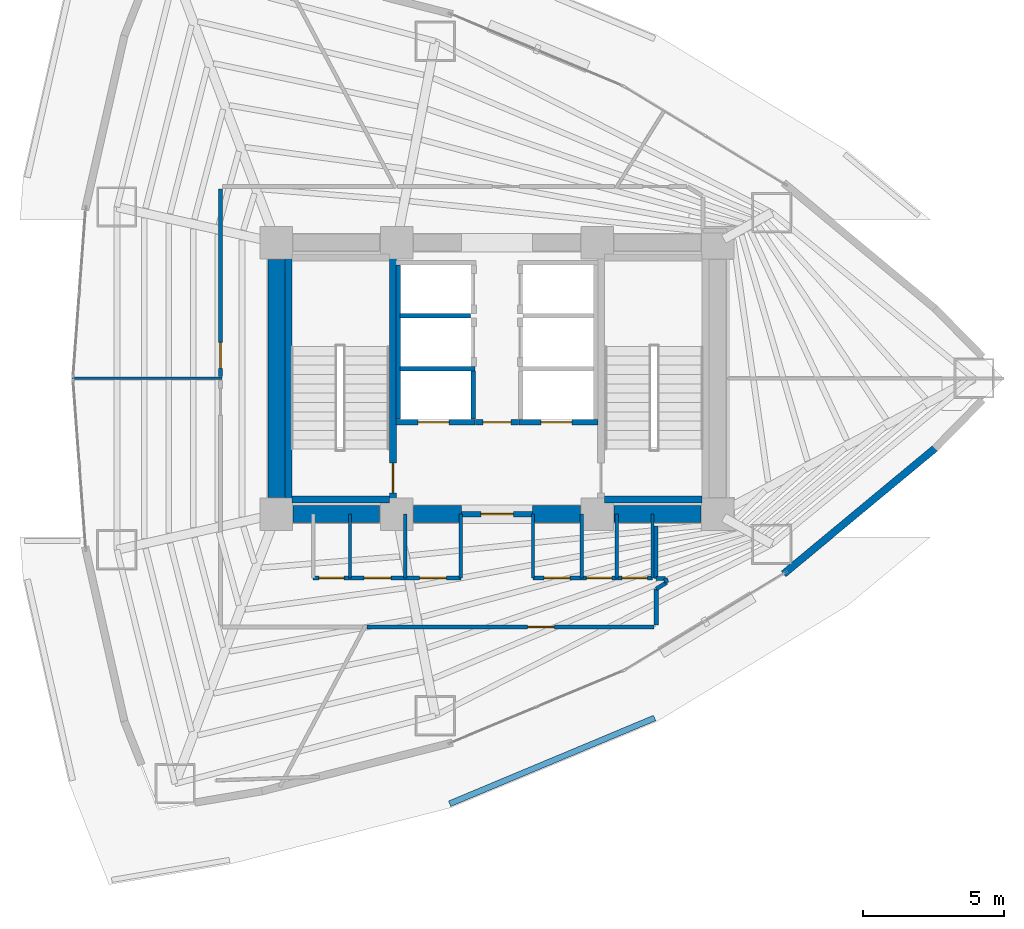
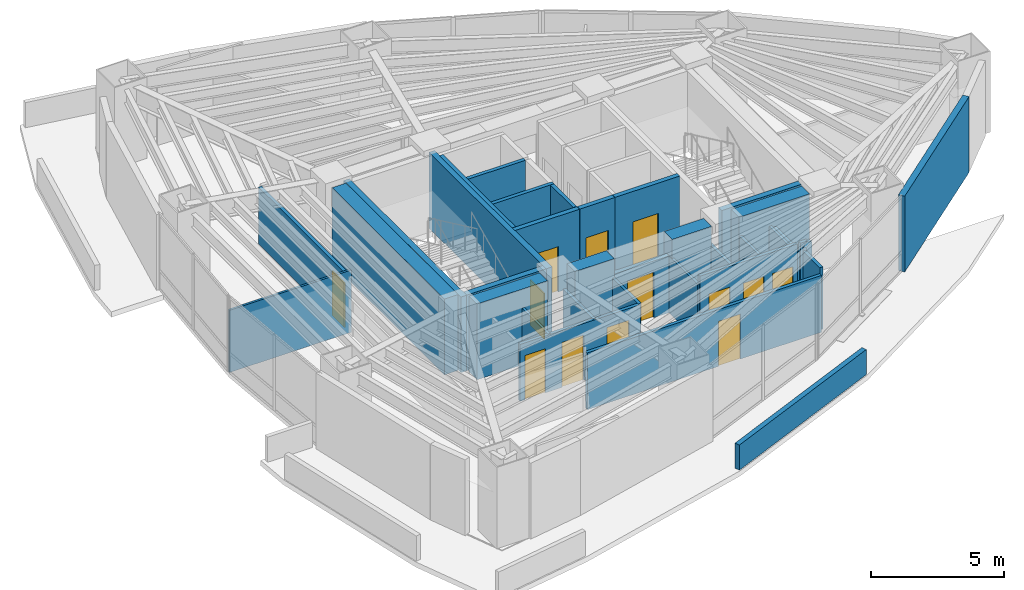
# One storey, part 13 of 17: 36 walls, 13 doors, 13 openings.
"""IFC4 building model written with IfcOpenShell, lengths in metres."""

from ifc_helpers import new_model, si_unit, direction, frame, frame_2d, origin, place, context, subcontext, project, spatial, rectangle, extrude, material, layer, layer_set, type_object, element, fill, save


model = new_model("IFC4")

# Units and contexts
model_context = context("Model", 3, precision=1e-05, world=origin(), true_north=direction((0.0, 1.0)))
body_context = subcontext(model_context, "Body", "Model", "MODEL_VIEW")
ifc_project = project(units=[si_unit("LENGTHUNIT", "METRE"), si_unit("AREAUNIT", "SQUARE_METRE"), si_unit("VOLUMEUNIT", "CUBIC_METRE"), si_unit("PLANEANGLEUNIT", "RADIAN"), si_unit("MASSUNIT", "GRAM", prefix="KILO")], contexts=[model_context])

# Site, building, storey
site_placement = place(None, origin())
site = spatial("IfcSite", under=ifc_project, at=site_placement, CompositionType="ELEMENT")
building_placement = place(site_placement, origin())
building = spatial("IfcBuilding", under=site, at=building_placement, Name="Menara Vayukalpa", CompositionType="ELEMENT")
storey_placement = place(building_placement, frame((0.0, 0.0, 27.60009765625)))
storey = spatial("IfcBuildingStorey", under=building, at=storey_placement, Name="L05", CompositionType="ELEMENT", Elevation=27.60009765625)

# Walls
ifc_material_1 = material(Name="Concrete C70/85", Category="concrete")
ifc_layer_1 = layer(ifc_material_1, 0.60009765625)
ifc_layer_set_1 = layer_set([ifc_layer_1], Name="Concrete C70/85")
wall_type_1 = type_object("IfcWallType", Name="WAL-CW600", PredefinedType="SHEAR", material=ifc_layer_set_1)
wall_1_placement = place(storey_placement, frame((18.39501953125, 17.199951171875, 0.0), z_axis=(0.0, 0.0, 1.0), x_axis=(1.0, 0.0, 0.0)))
element("IfcWall", 1, at=wall_1_placement, inside=storey, type_object=wall_type_1, Name="L05 Buttressed Core Shear Wall CWS1", PredefinedType="SHEAR", context=body_context, shape_type="SweptSolid", body=[
    extrude(rectangle(XDim=3.06005859375, YDim=0.60009765625, at=frame_2d((1.530029296875, 0.0))), origin(), (0.0, 0.0, 1.0), 3.469970703125),
])
wall_2_placement = place(storey_placement, frame((22.64501953125, 17.199951171875, 0.0), z_axis=(0.0, 0.0, 1.0), x_axis=(1.0, 0.0, 0.0)))
element("IfcWall", 2, at=wall_2_placement, inside=storey, type_object=wall_type_1, Name="L05 Buttressed Core Shear Wall CWS2", PredefinedType="SHEAR", context=body_context, shape_type="SweptSolid", body=[
    extrude(rectangle(XDim=1.705078125, YDim=0.60009765625, at=frame_2d((0.8525390625, 0.0))), origin(), (0.0, 0.0, 1.0), 3.469970703125),
])
wall_3_placement = place(storey_placement, frame((26.85009765625, 17.199951171875, 0.0), z_axis=(0.0, 0.0, 1.0), x_axis=(1.0, 0.0, 0.0)))
element("IfcWall", 3, at=wall_3_placement, inside=storey, type_object=wall_type_1, Name="L05 Buttressed Core Shear Wall CWS3", PredefinedType="SHEAR", context=body_context, shape_type="SweptSolid", body=[
    extrude(rectangle(XDim=1.704833984375, YDim=0.60009765625, at=frame_2d((0.8525390625, 0.0))), origin(), (0.0, 0.0, 1.0), 3.469970703125),
])
wall_4_placement = place(storey_placement, frame((29.7451171875, 17.199951171875, 0.0), z_axis=(0.0, 0.0, 1.0), x_axis=(1.0, 0.0, 0.0)))
element("IfcWall", 4, at=wall_4_placement, inside=storey, type_object=wall_type_1, Name="L05 Buttressed Core Shear Wall CWS4", PredefinedType="SHEAR", context=body_context, shape_type="SweptSolid", body=[
    extrude(rectangle(XDim=3.059814453125, YDim=0.60009765625, at=frame_2d((1.52978515625, 0.0))), origin(), (0.0, 0.0, 1.0), 3.469970703125),
])
wall_5_placement = place(storey_placement, frame((17.800048828125, 17.794921875, 0.0), z_axis=(0.0, 0.0, 1.0), x_axis=(0.0, 1.0, 0.0)))
element("IfcWall", 5, at=wall_5_placement, inside=storey, type_object=wall_type_1, Name="L05 Buttressed Core Shear Wall CWW1", PredefinedType="SHEAR", context=body_context, shape_type="SweptSolid", body=[
    extrude(rectangle(XDim=8.41015625, YDim=0.60009765625, at=frame_2d((4.205078125, 0.0))), origin(), (0.0, 0.0, 1.0), 3.469970703125),
])
ifc_material_2 = material(Name="Insulated Precast Concrete C40/50", Category="concrete")
ifc_layer_2 = layer(ifc_material_2, 0.260009765625)
ifc_layer_set_2 = layer_set([ifc_layer_2], Name="Insulated Precast Concrete C40/50")
wall_type_2 = type_object("IfcWallType", Name="WAL-EXT260", PredefinedType="PARTITIONING", material=ifc_layer_set_2)
wall_6_placement = place(storey_placement, frame((41.08935546875, 19.52880859375, 0.0), z_axis=(0.0, 0.0, 1.0), x_axis=(-0.769754596928, -0.638339925517, 0.0)))
element("IfcWall", 6, at=wall_6_placement, inside=storey, type_object=wall_type_2, Name="L05 Perimeter Terracotta Pier Wall 18", PredefinedType="PARTITIONING", context=body_context, shape_type="SweptSolid", body=[
    extrude(rectangle(XDim=6.959228515625, YDim=0.260009765625, at=frame_2d((3.4794921875, 0.0))), origin(), (0.0, 0.0, 1.0), 3.469970703125),
])
ifc_material_3 = material(Name="Lightweight Concrete Blockwork C16/20", Category="masonry")
ifc_layer_3 = layer(ifc_material_3, 0.159912109375)
ifc_layer_set_3 = layer_set([ifc_layer_3], Name="Lightweight Concrete Blockwork C16/20")
wall_type_3 = type_object("IfcWallType", Name="WAL-FR150", PredefinedType="PARTITIONING", material=ifc_layer_set_3)
wall_7_placement = place(storey_placement, frame((22.10498046875, 20.56005859375, 0.0), z_axis=(0.0, 0.0, 1.0), x_axis=(0.0, 1.0, 0.0)))
element("IfcWall", 7, at=wall_7_placement, inside=storey, type_object=wall_type_3, Name="L05 Interior Partition IW-L05-SHW-WW", PredefinedType="PARTITIONING", context=body_context, shape_type="SweptSolid", body=[
    extrude(rectangle(XDim=5.449951171875, YDim=0.159912109375, at=frame_2d((2.72509765625, 0.0))), origin(), (0.0, 0.0, 1.0), 3.469970703125),
])
wall_8_placement = place(storey_placement, frame((24.7548828125, 20.56005859375, 0.0), z_axis=(0.0, 0.0, 1.0), x_axis=(0.0, 1.0, 0.0)))
element("IfcWall", 8, at=wall_8_placement, inside=storey, type_object=wall_type_3, Name="L05 Interior Partition IW-L05-SHW-W1E", PredefinedType="PARTITIONING", context=body_context, shape_type="SweptSolid", body=[
    extrude(rectangle(XDim=1.7099609375, YDim=0.159912109375, at=frame_2d((0.85498046875, 0.0))), origin(), (0.0, 0.0, 1.0), 3.469970703125),
])
wall_9_placement = place(storey_placement, frame((22.179931640625, 22.344970703125, 0.0), z_axis=(0.0, 0.0, 1.0), x_axis=(1.0, 0.0, 0.0)))
element("IfcWall", 9, at=wall_9_placement, inside=storey, type_object=wall_type_3, Name="L05 Interior Partition IW-L05-SHM-W12", PredefinedType="PARTITIONING", context=body_context, shape_type="SweptSolid", body=[
    extrude(rectangle(XDim=2.650146484375, YDim=0.159912109375, at=frame_2d((1.3251953125, 0.0))), origin(), (0.0, 0.0, 1.0), 3.469970703125),
])
wall_10_placement = place(storey_placement, frame((22.179931640625, 24.215087890625, 0.0), z_axis=(0.0, 0.0, 1.0), x_axis=(1.0, 0.0, 0.0)))
element("IfcWall", 10, at=wall_10_placement, inside=storey, type_object=wall_type_3, Name="L05 Interior Partition IW-L05-SHM-W23", PredefinedType="PARTITIONING", context=body_context, shape_type="SweptSolid", body=[
    extrude(rectangle(XDim=2.489990234375, YDim=0.159912109375, at=frame_2d((1.2451171875, 0.0))), origin(), (0.0, 0.0, 1.0), 3.469970703125),
])

# Wall, opening, door
ifc_material_4 = material(Name="Lightweight Concrete Blockwork C16/20", Category="masonry")
ifc_layer_4 = layer(ifc_material_4, 0.199951171875)
ifc_layer_set_4 = layer_set([ifc_layer_4], Name="Lightweight Concrete Blockwork C16/20")
wall_type_4 = type_object("IfcWallType", Name="WAL-FR200", PredefinedType="PARTITIONING", material=ifc_layer_set_4)
wall_11_placement = place(storey_placement, frame((24.35009765625, 17.199951171875, 0.0), z_axis=(0.0, 0.0, 1.0), x_axis=(1.0, 0.0, 0.0)))
wall_11 = element("IfcWall", 11, at=wall_11_placement, inside=storey, type_object=wall_type_4, Name="L05 Interior Partition IW-L05-FFLS", PredefinedType="PARTITIONING", context=body_context, shape_type="SweptSolid", body=[
    extrude(rectangle(XDim=2.5, YDim=0.199951171875, at=frame_2d((1.25, 0.0))), origin(), (0.0, 0.0, 1.0), 2.599853515625),
])
opening_1_placement = place(wall_11_placement, frame((0.679931640625, 0.0, 0.0)))
opening_1 = element("IfcOpeningElement", 12, at=opening_1_placement, cuts=wall_11, Name="Opening ID2", PredefinedType="OPENING", context=body_context, shape_type="SweptSolid", body=[
    extrude(rectangle(XDim=1.14990234375, YDim=2.080078125, at=frame_2d((0.574951171875, 1.0400390625))), frame((0.0, 0.10986328125, 0.0), z_axis=(0.0, -1.0, 0.0), x_axis=(1.0, 0.0, 0.0)), (0.0, 0.0, 1.0), 0.219970703125),
])
ifc_material_5 = material(Name="Fire-Rated Powder-Coated Steel Door", Category="steel")
door_type_1 = type_object("IfcDoorType", Name="DR-FD60W", OperationType="NOTDEFINED", PredefinedType="DOOR", material=ifc_material_5)
door_1_placement = place(opening_1_placement, origin())
door_1 = element("IfcDoor", 13, at=door_1_placement, inside=storey, type_object=door_type_1, Name="L05 Interior Door DR-L05-FFLS", OperationType="SINGLE_SWING_RIGHT", OverallHeight=2.080078125, OverallWidth=1.14990234375, PredefinedType="DOOR", context=body_context, shape_type="SweptSolid", body=[
    extrude(rectangle(XDim=1.14990234375, YDim=2.080078125, at=frame_2d((0.574951171875, 1.0400390625))), frame((0.0, 0.02490234375, 0.0), z_axis=(0.0, -1.0, 0.0), x_axis=(1.0, 0.0, 0.0)), (0.0, 0.0, 1.0), 0.050048828125),
])
fill(opening_1, door_1)

wall_12_placement = place(storey_placement, frame((24.840087890625, 20.449951171875, 0.0), z_axis=(0.0, 0.0, 1.0), x_axis=(1.0, 0.0, 0.0)))
wall_12 = element("IfcWall", 14, at=wall_12_placement, inside=storey, type_object=wall_type_4, Name="L05 Interior Partition IW-L05-FFLN", PredefinedType="PARTITIONING", context=body_context, shape_type="SweptSolid", body=[
    extrude(rectangle(XDim=1.52001953125, YDim=0.199951171875, at=frame_2d((0.760009765625, 0.0))), origin(), (0.0, 0.0, 1.0), 3.469970703125),
])
opening_2_placement = place(wall_12_placement, frame((0.27001953125, 0.0, 0.0)))
opening_2 = element("IfcOpeningElement", 15, at=opening_2_placement, cuts=wall_12, Name="Opening ID3", PredefinedType="OPENING", context=body_context, shape_type="SweptSolid", body=[
    extrude(rectangle(XDim=0.97998046875, YDim=2.06005859375, at=frame_2d((0.489990234375, 1.030029296875))), frame((0.0, 0.10986328125, 0.0), z_axis=(0.0, -1.0, 0.0), x_axis=(1.0, 0.0, 0.0)), (0.0, 0.0, 1.0), 0.219970703125),
])
ifc_material_6 = material(Name="Fire-Rated Powder-Coated Steel Door", Category="steel")
door_type_2 = type_object("IfcDoorType", Name="DR-FD60", OperationType="NOTDEFINED", PredefinedType="DOOR", material=ifc_material_6)
door_2_placement = place(opening_2_placement, origin())
door_2 = element("IfcDoor", 16, at=door_2_placement, inside=storey, type_object=door_type_2, Name="L05 Interior Door DR-L05-FFLN", OperationType="SINGLE_SWING_LEFT", OverallHeight=2.06005859375, OverallWidth=0.97998046875, PredefinedType="DOOR", context=body_context, shape_type="SweptSolid", body=[
    extrude(rectangle(XDim=0.97998046875, YDim=2.06005859375, at=frame_2d((0.489990234375, 1.030029296875))), frame((0.0, 0.02490234375, 0.0), z_axis=(0.0, -1.0, 0.0), x_axis=(1.0, 0.0, 0.0)), (0.0, 0.0, 1.0), 0.050048828125),
])
fill(opening_2, door_2)

wall_13_placement = place(storey_placement, frame((22.030029296875, 20.449951171875, 0.0), z_axis=(0.0, 0.0, 1.0), x_axis=(1.0, 0.0, 0.0)))
wall_13 = element("IfcWall", 17, at=wall_13_placement, inside=storey, type_object=wall_type_4, Name="L05 Interior Partition IW-L05-SH-W1", PredefinedType="PARTITIONING", context=body_context, shape_type="SweptSolid", body=[
    extrude(rectangle(XDim=2.800048828125, YDim=0.199951171875, at=frame_2d((1.39990234375, 0.0))), origin(), (0.0, 0.0, 1.0), 3.469970703125),
])
opening_3_placement = place(wall_13_placement, frame((0.780029296875, 0.0, 0.0)))
opening_3 = element("IfcOpeningElement", 18, at=opening_3_placement, cuts=wall_13, Name="Opening LD1", PredefinedType="OPENING", context=body_context, shape_type="SweptSolid", body=[
    extrude(rectangle(XDim=1.10009765625, YDim=2.080078125, at=frame_2d((0.550048828125, 1.0400390625))), frame((0.0, 0.10986328125, 0.0), z_axis=(0.0, -1.0, 0.0), x_axis=(1.0, 0.0, 0.0)), (0.0, 0.0, 1.0), 0.219970703125),
])
ifc_material_7 = material(Name="Brushed Stainless Steel 316 Lift Door", Category="steel")
door_type_3 = type_object("IfcDoorType", Name="DR-LD110", OperationType="NOTDEFINED", PredefinedType="DOOR", material=ifc_material_7)
door_3_placement = place(opening_3_placement, origin())
door_3 = element("IfcDoor", 19, at=door_3_placement, inside=storey, type_object=door_type_3, Name="L05 Interior Door DR-L05-LD-W1", OperationType="DOUBLE_DOOR_SLIDING", OverallHeight=2.080078125, OverallWidth=1.10009765625, PredefinedType="DOOR", context=body_context, shape_type="SweptSolid", body=[
    extrude(rectangle(XDim=1.10009765625, YDim=2.080078125, at=frame_2d((0.550048828125, 1.0400390625))), frame((0.0, 0.02490234375, 0.0), z_axis=(0.0, -1.0, 0.0), x_axis=(1.0, 0.0, 0.0)), (0.0, 0.0, 1.0), 0.050048828125),
])
fill(opening_3, door_3)

wall_14_placement = place(storey_placement, frame((26.3701171875, 20.449951171875, 0.0), z_axis=(0.0, 0.0, 1.0), x_axis=(1.0, 0.0, 0.0)))
wall_14 = element("IfcWall", 20, at=wall_14_placement, inside=storey, type_object=wall_type_4, Name="L05 Interior Partition IW-L05-SH-E1", PredefinedType="PARTITIONING", context=body_context, shape_type="SweptSolid", body=[
    extrude(rectangle(XDim=2.7998046875, YDim=0.199951171875, at=frame_2d((1.39990234375, 0.0))), origin(), (0.0, 0.0, 1.0), 3.469970703125),
])
opening_4_placement = place(wall_14_placement, frame((0.780029296875, 0.0, 0.0)))
opening_4 = element("IfcOpeningElement", 21, at=opening_4_placement, cuts=wall_14, Name="Opening LD1", PredefinedType="OPENING", context=body_context, shape_type="SweptSolid", body=[
    extrude(rectangle(XDim=1.10009765625, YDim=2.080078125, at=frame_2d((0.550048828125, 1.0400390625))), frame((0.0, 0.10986328125, 0.0), z_axis=(0.0, -1.0, 0.0), x_axis=(1.0, 0.0, 0.0)), (0.0, 0.0, 1.0), 0.219970703125),
])
door_4_placement = place(opening_4_placement, origin())
door_4 = element("IfcDoor", 22, at=door_4_placement, inside=storey, type_object=door_type_3, Name="L05 Interior Door DR-L05-LD-E1", OperationType="DOUBLE_DOOR_SLIDING", OverallHeight=2.080078125, OverallWidth=1.10009765625, PredefinedType="DOOR", context=body_context, shape_type="SweptSolid", body=[
    extrude(rectangle(XDim=1.10009765625, YDim=2.080078125, at=frame_2d((0.550048828125, 1.0400390625))), frame((0.0, 0.02490234375, 0.0), z_axis=(0.0, -1.0, 0.0), x_axis=(1.0, 0.0, 0.0)), (0.0, 0.0, 1.0), 0.050048828125),
])
fill(opening_4, door_4)

# Walls
ifc_material_8 = material(Name="Precast Concrete C40/50", Category="concrete")
ifc_layer_5 = layer(ifc_material_8, 0.2099609375)
ifc_layer_set_5 = layer_set([ifc_layer_5], Name="Precast Concrete C40/50")
wall_type_5 = type_object("IfcWallType", Name="WAL-PAR210", PredefinedType="PARAPET", material=ifc_layer_set_5)
wall_15_placement = place(storey_placement, frame((31.173095703125, 9.993408203125, 0.0), z_axis=(0.0, 0.0, 1.0), x_axis=(-0.922553724433, -0.385868663582, 0.0)))
element("IfcWall", 23, at=wall_15_placement, inside=storey, type_object=wall_type_5, Name="Podium Roof Parapet Wall 05", PredefinedType="PARAPET", context=body_context, shape_type="SweptSolid", body=[
    extrude(rectangle(XDim=7.8544921875, YDim=0.2099609375, at=frame_2d((3.92724609375, 0.0))), origin(), (0.0, 0.0, 1.0), 1.14990234375),
])
ifc_material_9 = material(Name="Glazed Demountable Office Partition", Category="glass")
ifc_layer_6 = layer(ifc_material_9, 0.094970703125)
ifc_layer_set_6 = layer_set([ifc_layer_6], Name="Glazed Demountable Office Partition")
wall_type_6 = type_object("IfcWallType", Name="WAL-PT100", PredefinedType="PARTITIONING", material=ifc_layer_set_6)
wall_16_placement = place(storey_placement, frame((15.8701171875, 22.0, 0.0), z_axis=(0.0, 0.0, 1.0), x_axis=(-1.0, 0.0, 0.0)))
element("IfcWall", 24, at=wall_16_placement, inside=storey, type_object=wall_type_6, Name="L05 Interior Partition IW-L05-RDIV04", PredefinedType="PARTITIONING", context=body_context, shape_type="SweptSolid", body=[
    extrude(rectangle(XDim=5.2705078125, YDim=0.094970703125, at=frame_2d((2.63525390625, 0.0))), origin(), (0.0, 0.0, 1.0), 2.849853515625),
])
ifc_material_10 = material(Name="Acoustic Mineral Stud Partition", Category="masonry")
ifc_layer_7 = layer(ifc_material_10, 0.110107421875)
ifc_layer_set_7 = layer_set([ifc_layer_7], Name="Acoustic Mineral Stud Partition")
wall_type_7 = type_object("IfcWallType", Name="WAL-PT110", PredefinedType="PARTITIONING", material=ifc_layer_set_7)
for number, where, z_axis, x_axis, name in (
    (25, (20.39990234375, 14.949951171875, 0.0), (0.0, 0.0, 1.0), (0.0, 1.0, 0.0), "L05 Interior Partition IW-L05-SVCD-02"),
    (26, (26.8798828125, 14.949951171875, 0.0), (0.0, 0.0, 1.0), (0.0, 1.0, 0.0), "L05 Interior Partition IW-L05-SVCD-05"),
    (27, (31.10009765625, 14.949951171875, 0.0), (0.0, 0.0, 1.0), (0.0, 1.0, 0.0), "L05 Interior Partition IW-L05-SVCD-08"),
):
    element("IfcWall", number, at=place(storey_placement, frame(where, z_axis=z_axis, x_axis=x_axis)), inside=storey, type_object=wall_type_7, Name=name, PredefinedType="PARTITIONING", context=body_context, shape_type="SweptSolid", body=[
        extrude(rectangle(XDim=2.25, YDim=0.110107421875, at=frame_2d((1.125, 0.0))), origin(), (0.0, 0.0, 1.0), 2.599853515625),
    ])
ifc_material_11 = material(Name="Gypsum Drywall Steel Stud Assembly", Category="steel")
ifc_layer_8 = layer(ifc_material_11, 0.125)
ifc_layer_set_8 = layer_set([ifc_layer_8], Name="Gypsum Drywall Steel Stud Assembly")
wall_type_8 = type_object("IfcWallType", Name="WAL-PT125", PredefinedType="PARTITIONING", material=ifc_layer_set_8)
for number, where, z_axis, x_axis, name in (
    (28, (22.360107421875, 14.949951171875, 0.0), (0.0, 0.0, 1.0), (0.0, 1.0, 0.0), "L05 Interior Partition IW-L05-SVCD-03"),
    (29, (24.320068359375, 14.949951171875, 0.0), (0.0, 0.0, 1.0), (0.0, 1.0, 0.0), "L05 Interior Partition IW-L05-SVCD-04"),
    (30, (28.590087890625, 14.949951171875, 0.0), (0.0, 0.0, 1.0), (0.0, 1.0, 0.0), "L05 Interior Partition IW-L05-SVCD-06"),
    (31, (29.830078125, 14.949951171875, 0.0), (0.0, 0.0, 1.0), (0.0, 1.0, 0.0), "L05 Interior Partition IW-L05-SVCD-07"),
):
    element("IfcWall", number, at=place(storey_placement, frame(where, z_axis=z_axis, x_axis=x_axis)), inside=storey, type_object=wall_type_8, Name=name, PredefinedType="PARTITIONING", context=body_context, shape_type="SweptSolid", body=[
        extrude(rectangle(XDim=2.25, YDim=0.125, at=frame_2d((1.125, 0.0))), origin(), (0.0, 0.0, 1.0), 2.599853515625),
    ])

# Wall, openings, doors
ifc_material_12 = material(Name="Gypsum Drywall Acoustic Stud Assembly", Category="masonry")
ifc_layer_9 = layer(ifc_material_12, 0.14501953125)
ifc_layer_set_9 = layer_set([ifc_layer_9], Name="Gypsum Drywall Acoustic Stud Assembly")
wall_type_9 = type_object("IfcWallType", Name="WAL-PT150", PredefinedType="PARTITIONING", material=ifc_layer_set_9)
wall_17_placement = place(storey_placement, frame((19.10009765625, 14.949951171875, 0.0), z_axis=(0.0, 0.0, 1.0), x_axis=(1.0, 0.0, 0.0)))
wall_17 = element("IfcWall", 32, at=wall_17_placement, inside=storey, type_object=wall_type_9, Name="L05 Interior Partition IW-L05-SVCS-W", PredefinedType="PARTITIONING", context=body_context, shape_type="SweptSolid", body=[
    extrude(rectangle(XDim=5.219970703125, YDim=0.14501953125, at=frame_2d((2.60986328125, 0.0))), origin(), (0.0, 0.0, 1.0), 2.599853515625),
])
opening_5_placement = place(wall_17_placement, frame((0.199951171875, 0.0, 0.0)))
opening_5 = element("IfcOpeningElement", 33, at=opening_5_placement, cuts=wall_17, Name="Opening ID7", PredefinedType="OPENING", context=body_context, shape_type="SweptSolid", body=[
    extrude(rectangle(XDim=0.89990234375, YDim=2.02001953125, at=frame_2d((0.449951171875, 1.010009765625))), frame((0.0, 0.08251953125, 0.0), z_axis=(0.0, -1.0, 0.0), x_axis=(1.0, 0.0, 0.0)), (0.0, 0.0, 1.0), 0.1650390625),
])
opening_6_placement = place(wall_17_placement, frame((1.804931640625, 0.0, 0.0)))
opening_6 = element("IfcOpeningElement", 34, at=opening_6_placement, cuts=wall_17, Name="Opening ID5", PredefinedType="OPENING", context=body_context, shape_type="SweptSolid", body=[
    extrude(rectangle(XDim=0.949951171875, YDim=2.06005859375, at=frame_2d((0.47509765625, 1.030029296875))), frame((0.0, 0.08251953125, 0.0), z_axis=(0.0, -1.0, 0.0), x_axis=(1.0, 0.0, 0.0)), (0.0, 0.0, 1.0), 0.1650390625),
])
opening_7_placement = place(wall_17_placement, frame((3.764892578125, 0.0, 0.0)))
opening_7 = element("IfcOpeningElement", 35, at=opening_7_placement, cuts=wall_17, Name="Opening ID5", PredefinedType="OPENING", context=body_context, shape_type="SweptSolid", body=[
    extrude(rectangle(XDim=0.949951171875, YDim=2.06005859375, at=frame_2d((0.47509765625, 1.030029296875))), frame((0.0, 0.08251953125, 0.0), z_axis=(0.0, -1.0, 0.0), x_axis=(1.0, 0.0, 0.0)), (0.0, 0.0, 1.0), 0.1650390625),
])
ifc_material_13 = material(Name="Acoustic Hardwood Veneer Timber Door", Category="wood")
door_type_4 = type_object("IfcDoorType", Name="DR-INT95", OperationType="NOTDEFINED", PredefinedType="DOOR", material=ifc_material_13)
door_5_placement = place(opening_6_placement, origin())
door_5 = element("IfcDoor", 36, at=door_5_placement, inside=storey, type_object=door_type_4, Name="L05 Interior Door DR-L05-AWC", OperationType="SINGLE_SWING_LEFT", OverallHeight=2.06005859375, OverallWidth=0.949951171875, PredefinedType="DOOR", context=body_context, shape_type="SweptSolid", body=[
    extrude(rectangle(XDim=0.949951171875, YDim=2.06005859375, at=frame_2d((0.47509765625, 1.030029296875))), frame((0.0, 0.02490234375, 0.0), z_axis=(0.0, -1.0, 0.0), x_axis=(1.0, 0.0, 0.0)), (0.0, 0.0, 1.0), 0.050048828125),
])
fill(opening_6, door_5)
door_6_placement = place(opening_7_placement, origin())
door_6 = element("IfcDoor", 37, at=door_6_placement, inside=storey, type_object=door_type_4, Name="L05 Interior Door DR-L05-SWC", OperationType="SINGLE_SWING_RIGHT", OverallHeight=2.06005859375, OverallWidth=0.949951171875, PredefinedType="DOOR", context=body_context, shape_type="SweptSolid", body=[
    extrude(rectangle(XDim=0.949951171875, YDim=2.06005859375, at=frame_2d((0.47509765625, 1.030029296875))), frame((0.0, 0.02490234375, 0.0), z_axis=(0.0, -1.0, 0.0), x_axis=(1.0, 0.0, 0.0)), (0.0, 0.0, 1.0), 0.050048828125),
])
fill(opening_7, door_6)
ifc_material_14 = material(Name="Powder-Coated Steel Riser Access Door", Category="steel")
door_type_5 = type_object("IfcDoorType", Name="DR-RISER", OperationType="NOTDEFINED", PredefinedType="DOOR", material=ifc_material_14)
door_7_placement = place(opening_5_placement, origin())
door_7 = element("IfcDoor", 38, at=door_7_placement, inside=storey, type_object=door_type_5, Name="L05 Interior Door DR-L05-ELR", OperationType="SINGLE_SWING_RIGHT", OverallHeight=2.02001953125, OverallWidth=0.89990234375, PredefinedType="DOOR", context=body_context, shape_type="SweptSolid", body=[
    extrude(rectangle(XDim=0.89990234375, YDim=2.02001953125, at=frame_2d((0.449951171875, 1.010009765625))), frame((0.0, 0.02490234375, 0.0), z_axis=(0.0, -1.0, 0.0), x_axis=(1.0, 0.0, 0.0)), (0.0, 0.0, 1.0), 0.050048828125),
])
fill(opening_5, door_7)

wall_18_placement = place(storey_placement, frame((26.8798828125, 14.949951171875, 0.0), z_axis=(0.0, 0.0, 1.0), x_axis=(1.0, 0.0, 0.0)))
wall_18 = element("IfcWall", 39, at=wall_18_placement, inside=storey, type_object=wall_type_9, Name="L05 Interior Partition IW-L05-SVCS-E", PredefinedType="PARTITIONING", context=body_context, shape_type="SweptSolid", body=[
    extrude(rectangle(XDim=4.22021484375, YDim=0.14501953125, at=frame_2d((2.110107421875, 0.0))), origin(), (0.0, 0.0, 1.0), 3.0),
])
opening_8_placement = place(wall_18_placement, frame((0.389892578125, 0.0, 0.0)))
opening_8 = element("IfcOpeningElement", 40, at=opening_8_placement, cuts=wall_18, Name="Opening ID6", PredefinedType="OPENING", context=body_context, shape_type="SweptSolid", body=[
    extrude(rectangle(XDim=0.919921875, YDim=2.050048828125, at=frame_2d((0.4599609375, 1.02490234375))), frame((0.0, 0.08251953125, 0.0), z_axis=(0.0, -1.0, 0.0), x_axis=(1.0, 0.0, 0.0)), (0.0, 0.0, 1.0), 0.1650390625),
])
opening_9_placement = place(wall_18_placement, frame((1.8798828125, 0.0, 0.0)))
opening_9 = element("IfcOpeningElement", 41, at=opening_9_placement, cuts=wall_18, Name="Opening ID7", PredefinedType="OPENING", context=body_context, shape_type="SweptSolid", body=[
    extrude(rectangle(XDim=0.89990234375, YDim=2.02001953125, at=frame_2d((0.449951171875, 1.010009765625))), frame((0.0, 0.08251953125, 0.0), z_axis=(0.0, -1.0, 0.0), x_axis=(1.0, 0.0, 0.0)), (0.0, 0.0, 1.0), 0.1650390625),
])
opening_10_placement = place(wall_18_placement, frame((3.139892578125, 0.0, 0.0)))
opening_10 = element("IfcOpeningElement", 42, at=opening_10_placement, cuts=wall_18, Name="Opening ID7", PredefinedType="OPENING", context=body_context, shape_type="SweptSolid", body=[
    extrude(rectangle(XDim=0.89990234375, YDim=2.02001953125, at=frame_2d((0.449951171875, 1.010009765625))), frame((0.0, 0.08251953125, 0.0), z_axis=(0.0, -1.0, 0.0), x_axis=(1.0, 0.0, 0.0)), (0.0, 0.0, 1.0), 0.1650390625),
])
ifc_material_15 = material(Name="Acoustic Hardwood Veneer Timber Door", Category="wood")
door_type_6 = type_object("IfcDoorType", Name="DR-INT92", OperationType="NOTDEFINED", PredefinedType="DOOR", material=ifc_material_15)
door_8_placement = place(opening_8_placement, origin())
door_8 = element("IfcDoor", 43, at=door_8_placement, inside=storey, type_object=door_type_6, Name="L05 Interior Door DR-L05-KSV1", OperationType="SINGLE_SWING_LEFT", OverallHeight=2.050048828125, OverallWidth=0.919921875, PredefinedType="DOOR", context=body_context, shape_type="SweptSolid", body=[
    extrude(rectangle(XDim=0.919921875, YDim=2.050048828125, at=frame_2d((0.4599609375, 1.02490234375))), frame((0.0, 0.02490234375, 0.0), z_axis=(0.0, -1.0, 0.0), x_axis=(1.0, 0.0, 0.0)), (0.0, 0.0, 1.0), 0.050048828125),
])
fill(opening_8, door_8)
door_9_placement = place(opening_9_placement, origin())
door_9 = element("IfcDoor", 44, at=door_9_placement, inside=storey, type_object=door_type_5, Name="L05 Interior Door DR-L05-KSV2", OperationType="SINGLE_SWING_RIGHT", OverallHeight=2.02001953125, OverallWidth=0.89990234375, PredefinedType="DOOR", context=body_context, shape_type="SweptSolid", body=[
    extrude(rectangle(XDim=0.89990234375, YDim=2.02001953125, at=frame_2d((0.449951171875, 1.010009765625))), frame((0.0, 0.02490234375, 0.0), z_axis=(0.0, -1.0, 0.0), x_axis=(1.0, 0.0, 0.0)), (0.0, 0.0, 1.0), 0.050048828125),
])
fill(opening_9, door_9)
door_10_placement = place(opening_10_placement, origin())
door_10 = element("IfcDoor", 45, at=door_10_placement, inside=storey, type_object=door_type_5, Name="L05 Interior Door DR-L05-SMD", OperationType="SINGLE_SWING_LEFT", OverallHeight=2.02001953125, OverallWidth=0.89990234375, PredefinedType="DOOR", context=body_context, shape_type="SweptSolid", body=[
    extrude(rectangle(XDim=0.89990234375, YDim=2.02001953125, at=frame_2d((0.449951171875, 1.010009765625))), frame((0.0, 0.02490234375, 0.0), z_axis=(0.0, -1.0, 0.0), x_axis=(1.0, 0.0, 0.0)), (0.0, 0.0, 1.0), 0.050048828125),
])
fill(opening_10, door_10)

# Wall, opening, door
wall_19_placement = place(storey_placement, frame((21.005615234375, 13.2099609375, 0.0), z_axis=(0.0, 0.0, 1.0), x_axis=(1.0, 0.0, 0.0)))
wall_19 = element("IfcWall", 46, at=wall_19_placement, inside=storey, type_object=wall_type_9, Name="L05 Interior Partition IW-L05-CRM03-1", PredefinedType="PARTITIONING", context=body_context, shape_type="SweptSolid", body=[
    extrude(rectangle(XDim=10.144287109375, YDim=0.14501953125, at=frame_2d((5.072265625, 0.0))), origin(), (0.0, 0.0, 1.0), 2.599853515625),
])
opening_11_placement = place(wall_19_placement, frame((5.676513671875, 0.0, 0.0)))
opening_11 = element("IfcOpeningElement", 47, at=opening_11_placement, cuts=wall_19, Name="Opening ID5", PredefinedType="OPENING", context=body_context, shape_type="SweptSolid", body=[
    extrude(rectangle(XDim=0.949951171875, YDim=2.06005859375, at=frame_2d((0.47509765625, 1.030029296875))), frame((0.0, 0.08251953125, 0.0), z_axis=(0.0, -1.0, 0.0), x_axis=(1.0, 0.0, 0.0)), (0.0, 0.0, 1.0), 0.1650390625),
])
door_11_placement = place(opening_11_placement, origin())
door_11 = element("IfcDoor", 48, at=door_11_placement, inside=storey, type_object=door_type_4, Name="L05 Interior Door DR-L05-RM03", OperationType="SINGLE_SWING_LEFT", OverallHeight=2.06005859375, OverallWidth=0.949951171875, PredefinedType="DOOR", context=body_context, shape_type="SweptSolid", body=[
    extrude(rectangle(XDim=0.949951171875, YDim=2.06005859375, at=frame_2d((0.47509765625, 1.030029296875))), frame((0.0, 0.02490234375, 0.0), z_axis=(0.0, -1.0, 0.0), x_axis=(1.0, 0.0, 0.0)), (0.0, 0.0, 1.0), 0.050048828125),
])
fill(opening_11, door_11)

# Walls
wall_20_placement = place(storey_placement, frame((31.22998046875, 13.2900390625, 0.0), z_axis=(0.0, 0.0, 1.0), x_axis=(0.0, 1.0, 0.0)))
element("IfcWall", 49, at=wall_20_placement, inside=storey, type_object=wall_type_9, Name="L05 Interior Partition IW-L05-CRM03-2", PredefinedType="PARTITIONING", context=body_context, shape_type="SweptSolid", body=[
    extrude(rectangle(XDim=1.26806640625, YDim=0.14501953125, at=frame_2d((0.634033203125, 0.0))), origin(), (0.0, 0.0, 1.0), 2.849853515625),
])
wall_21_placement = place(storey_placement, frame((31.22998046875, 14.55810546875, 0.0), z_axis=(0.0, 0.0, 1.0), x_axis=(0.854931196424, 0.518741408971, 0.0)))
element("IfcWall", 50, at=wall_21_placement, inside=storey, type_object=wall_type_9, Name="L05 Interior Partition IW-L05-CRM03-3", PredefinedType="PARTITIONING", context=body_context, shape_type="SweptSolid", body=[
    extrude(rectangle(XDim=0.4306640625, YDim=0.14501953125, at=frame_2d((0.21533203125, 0.0))), origin(), (0.0, 0.0, 1.0), 3.0),
])
wall_22_placement = place(storey_placement, frame((31.556640625, 14.929931640625, 0.0), z_axis=(0.0, 0.0, 1.0), x_axis=(-1.0, 0.0, 0.0)))
element("IfcWall", 51, at=wall_22_placement, inside=storey, type_object=wall_type_9, Name="L05 Interior Partition IW-L05-CRM03-4", PredefinedType="PARTITIONING", context=body_context, shape_type="SweptSolid", body=[
    extrude(rectangle(XDim=0.336669921875, YDim=0.14501953125, at=frame_2d((0.16845703125, 0.0))), origin(), (0.0, 0.0, 1.0), 3.0),
])
wall_23_placement = place(storey_placement, frame((31.219970703125, 14.929931640625, 0.0), z_axis=(0.0, 0.0, 1.0), x_axis=(0.0, 1.0, 0.0)))
element("IfcWall", 52, at=wall_23_placement, inside=storey, type_object=wall_type_9, Name="L05 Interior Partition IW-L05-CRM03-5", PredefinedType="PARTITIONING", context=body_context, shape_type="SweptSolid", body=[
    extrude(rectangle(XDim=1.85009765625, YDim=0.14501953125, at=frame_2d((0.925048828125, 0.0))), origin(), (0.0, 0.0, 1.0), 2.599853515625),
])

# Wall, opening, door
wall_24_placement = place(storey_placement, frame((15.820068359375, 28.699951171875, 0.0), z_axis=(0.0, 0.0, 1.0), x_axis=(0.0, -1.0, 0.0)))
wall_24 = element("IfcWall", 53, at=wall_24_placement, inside=storey, type_object=wall_type_9, Name="L05 Interior Partition IW-L05-CRM06-2", PredefinedType="PARTITIONING", context=body_context, shape_type="SweptSolid", body=[
    extrude(rectangle(XDim=6.6298828125, YDim=0.14501953125, at=frame_2d((3.31494140625, 0.0))), origin(), (0.0, 0.0, 1.0), 2.599853515625),
])
opening_12_placement = place(wall_24_placement, frame((5.429931640625, 0.0, 0.0)))
opening_12 = element("IfcOpeningElement", 54, at=opening_12_placement, cuts=wall_24, Name="Opening ID6", PredefinedType="OPENING", context=body_context, shape_type="SweptSolid", body=[
    extrude(rectangle(XDim=0.919921875, YDim=2.050048828125, at=frame_2d((0.4599609375, 1.02490234375))), frame((0.0, 0.08251953125, 0.0), z_axis=(0.0, -1.0, 0.0), x_axis=(1.0, 0.0, 0.0)), (0.0, 0.0, 1.0), 0.1650390625),
])
door_12_placement = place(opening_12_placement, origin())
door_12 = element("IfcDoor", 55, at=door_12_placement, inside=storey, type_object=door_type_6, Name="L05 Interior Door DR-L05-RM06", OperationType="SINGLE_SWING_RIGHT", OverallHeight=2.050048828125, OverallWidth=0.919921875, PredefinedType="DOOR", context=body_context, shape_type="SweptSolid", body=[
    extrude(rectangle(XDim=0.919921875, YDim=2.050048828125, at=frame_2d((0.4599609375, 1.02490234375))), frame((0.0, 0.02490234375, 0.0), z_axis=(0.0, -1.0, 0.0), x_axis=(1.0, 0.0, 0.0)), (0.0, 0.0, 1.0), 0.050048828125),
])
fill(opening_12, door_12)

# Walls
wall_25_placement = place(storey_placement, frame((31.59814453125, 14.781494140625, 0.0), z_axis=(0.0, 0.0, 1.0), x_axis=(-0.269277388617, 0.963062660464, 0.0)))
element("IfcWall", 56, at=wall_25_placement, inside=storey, type_object=wall_type_9, Name="L05 Interior Partition IW-L05-CRM03-3-R1", PredefinedType="PARTITIONING", context=body_context, shape_type="SweptSolid", body=[
    extrude(rectangle(XDim=0.154052734375, YDim=0.14501953125, at=frame_2d((0.0771484375, 0.0))), origin(), (0.0, 0.0, 1.0), 3.0),
])
ifc_material_16 = material(Name="Concrete C50/60", Category="concrete")
ifc_layer_10 = layer(ifc_material_16, 0.25)
ifc_layer_set_10 = layer_set([ifc_layer_10], Name="Concrete C50/60")
wall_type_10 = type_object("IfcWallType", Name="WAL-SW250", PredefinedType="SHEAR", material=ifc_layer_set_10)
wall_26_placement = place(storey_placement, frame((18.22900390625, 17.60009765625, 0.0), z_axis=(0.0, 0.0, 1.0), x_axis=(0.0, 1.0, 0.0)))
element("IfcWall", 57, at=wall_26_placement, inside=storey, type_object=wall_type_10, Name="L05 ST1 Structural Stair Shaft Wall W", PredefinedType="SHEAR", context=body_context, shape_type="SweptSolid", body=[
    extrude(rectangle(XDim=8.7998046875, YDim=0.25, at=frame_2d((4.39990234375, 0.0))), origin(), (0.0, 0.0, 1.0), 3.469970703125),
])

# Wall, opening, door
wall_27_placement = place(storey_placement, frame((21.925048828125, 17.60009765625, 0.0), z_axis=(0.0, 0.0, 1.0), x_axis=(0.0, 1.0, 0.0)))
wall_27 = element("IfcWall", 58, at=wall_27_placement, inside=storey, type_object=wall_type_10, Name="L05 ST1 Structural Stair Shaft Wall E", PredefinedType="SHEAR", context=body_context, shape_type="SweptSolid", body=[
    extrude(rectangle(XDim=8.7998046875, YDim=0.25, at=frame_2d((4.39990234375, 0.0))), origin(), (0.0, 0.0, 1.0), 3.469970703125),
])
opening_13_placement = place(wall_27_placement, frame((0.35009765625, 0.0, 0.0)))
opening_13 = element("IfcOpeningElement", 59, at=opening_13_placement, cuts=wall_27, Name="Opening ID1", PredefinedType="OPENING", context=body_context, shape_type="SweptSolid", body=[
    extrude(rectangle(XDim=1.050048828125, YDim=2.080078125, at=frame_2d((0.52490234375, 1.0400390625))), frame((0.0, 0.135009765625, 0.0), z_axis=(0.0, -1.0, 0.0), x_axis=(1.0, 0.0, 0.0)), (0.0, 0.0, 1.0), 0.27001953125),
])
ifc_material_17 = material(Name="Fire-Rated Powder-Coated Steel Door", Category="steel")
door_type_7 = type_object("IfcDoorType", Name="DR-FD120", OperationType="NOTDEFINED", PredefinedType="DOOR", material=ifc_material_17)
door_13_placement = place(opening_13_placement, origin())
door_13 = element("IfcDoor", 60, at=door_13_placement, inside=storey, type_object=door_type_7, Name="L05 Stair Exit Door DR-L05-ST1", OperationType="SINGLE_SWING_LEFT", OverallHeight=2.080078125, OverallWidth=1.050048828125, PredefinedType="DOOR", context=body_context, shape_type="SweptSolid", body=[
    extrude(rectangle(XDim=1.050048828125, YDim=2.080078125, at=frame_2d((0.52490234375, 1.0400390625))), frame((0.0, 0.02490234375, 0.0), z_axis=(0.0, -1.0, 0.0), x_axis=(1.0, 0.0, 0.0)), (0.0, 0.0, 1.0), 0.050048828125),
])
fill(opening_13, door_13)

# Walls
for number, where, z_axis, x_axis, name in (
    (61, (18.35400390625, 17.72509765625, 0.0), (0.0, 0.0, 1.0), (1.0, 0.0, 0.0), "L05 ST1 Structural Stair Shaft Wall S"),
    (62, (29.39990234375, 17.72509765625, 0.0), (0.0, 0.0, 1.0), (1.0, 0.0, 0.0), "L05 ST2 Structural Stair Shaft Wall S"),
):
    element("IfcWall", number, at=place(storey_placement, frame(where, z_axis=z_axis, x_axis=x_axis)), inside=storey, type_object=wall_type_10, Name=name, PredefinedType="SHEAR", context=body_context, shape_type="SweptSolid", body=[
        extrude(rectangle(XDim=3.446044921875, YDim=0.25, at=frame_2d((1.72314453125, 0.0))), origin(), (0.0, 0.0, 1.0), 3.469970703125),
    ])

save(model, "model.ifc")
